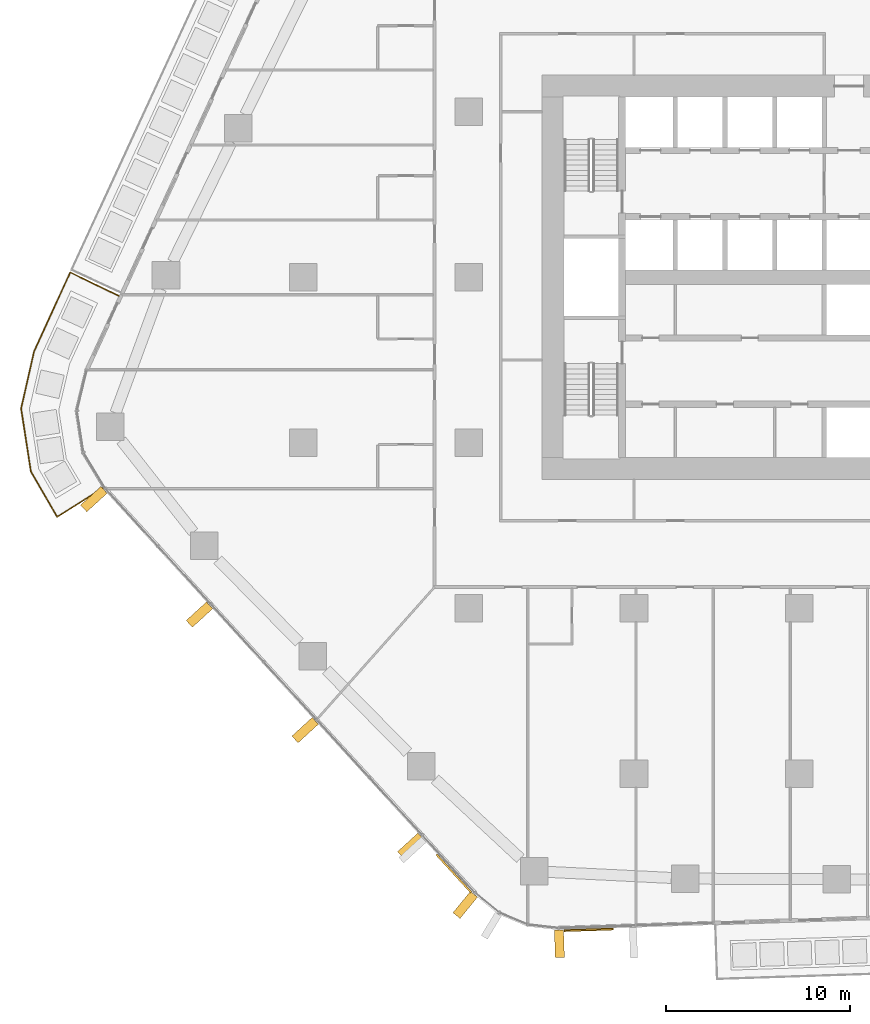
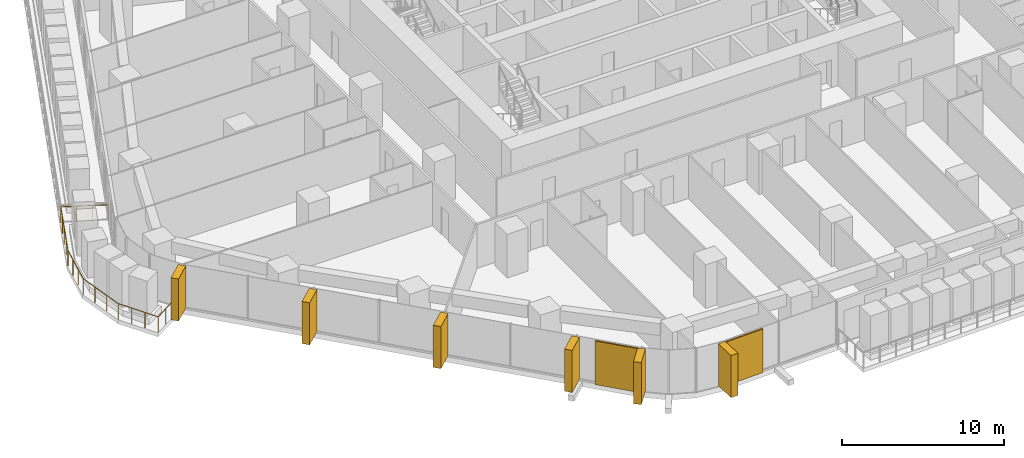
# One storey, part 21 of 27: 8 coverings, 1 railing, 3 elements without a shape of their own.
"""IFC4 building model written with IfcOpenShell, lengths in metres."""

from ifc_helpers import new_model, si_unit, direction, frame, origin, origin_2d, place, context, subcontext, project, spatial, rectangle, circle, extrude, material, layer, layer_set, material_profile, profile_set, type_object, element, aggregate, save


model = new_model("IFC4")

# Units and contexts
model_context = context("Model", 3, precision=1e-05, world=origin(), true_north=direction((0.0, 1.0)))
body_context = subcontext(model_context, "Body", "Model", "MODEL_VIEW")
ifc_project = project(units=[si_unit("LENGTHUNIT", "METRE"), si_unit("AREAUNIT", "SQUARE_METRE"), si_unit("VOLUMEUNIT", "CUBIC_METRE"), si_unit("PLANEANGLEUNIT", "RADIAN"), si_unit("MASSUNIT", "GRAM", prefix="KILO")], contexts=[model_context])

# Site, building, storey
site_placement = place(None, origin())
site = spatial("IfcSite", under=ifc_project, at=site_placement, CompositionType="ELEMENT")
building_placement = place(site_placement, origin())
building = spatial("IfcBuilding", under=site, at=building_placement, Name="Dongbaek Canopy Tower", CompositionType="ELEMENT")
storey_placement = place(building_placement, frame((0.0, 0.0, 58.800048828125)))
storey = spatial("IfcBuildingStorey", under=building, at=storey_placement, Name="L10", CompositionType="ELEMENT", Elevation=58.800048828125)

# Railing
ifc_material_1 = material(Name="Stainless steel", Category="steel")
railing_type = type_object("IfcRailingType", Name="Balcony balustrade 1200", PredefinedType="BALUSTRADE", material=ifc_material_1)
railing_placement = place(storey_placement, frame((-37.02880859375, -1.014892578125, 0.0)))
element("IfcRailing", 1, at=railing_placement, inside=storey, type_object=railing_type, Name="Balcony guard L10 7", PredefinedType="BALUSTRADE", context=body_context, shape_type="SweptSolid", body=[
    extrude(circle(Radius=0.02392578125, at=origin_2d()), frame((0.0, 0.0, 1.17578125), z_axis=(-0.899320695069, 0.437289706511, 0.0), x_axis=(-0.437289706511, -0.899320695069, 0.0)), (0.0, 0.0, 1.0), 2.940673828125),
    extrude(circle(Radius=0.02392578125, at=origin_2d()), frame((-2.64453125, 1.285888671875, 1.17578125), z_axis=(-0.41610370078, -0.909317166998, 0.0), x_axis=(0.909317166998, -0.41610370078, 0.0)), (0.0, 0.0, 1.0), 4.730224609375),
    extrude(circle(Radius=0.02392578125, at=origin_2d()), frame((-4.61279296875, -3.015380859375, 1.17578125), z_axis=(-0.221660802124, -0.975123832547, 0.0), x_axis=(0.975123832547, -0.221660802124, 0.0)), (0.0, 0.0, 1.0), 3.189697265625),
    extrude(circle(Radius=0.02392578125, at=origin_2d()), frame((-5.31982421875, -6.125732421875, 1.17578125), z_axis=(0.153789358191, -0.988103655143, 0.0), x_axis=(0.988103655143, 0.153789358191, 0.0)), (0.0, 0.0, 1.0), 3.473388671875),
    extrude(circle(Radius=0.02392578125, at=origin_2d()), frame((-4.78564453125, -9.557861328125, 1.17578125), z_axis=(0.50190634113, -0.864921976096, 0.0), x_axis=(0.864921976096, 0.50190634113, 0.0)), (0.0, 0.0, 1.0), 2.852783203125),
    extrude(circle(Radius=0.02392578125, at=origin_2d()), frame((-3.353759765625, -12.025390625, 1.17578125), z_axis=(0.844146612953, 0.536112391053, 0.0), x_axis=(-0.536112391053, 0.844146612953, 0.0)), (0.0, 0.0, 1.0), 2.9404296875),
    extrude(circle(Radius=0.02099609375, at=origin_2d()), origin(), (0.0, 0.0, 1.0), 1.15185546875),
    extrude(circle(Radius=0.02099609375, at=origin_2d()), frame((-0.881591796875, 0.4287109375, 0.0)), (0.0, 0.0, 1.0), 1.15185546875),
    extrude(circle(Radius=0.02099609375, at=origin_2d()), frame((-1.762939453125, 0.857177734375, 0.0)), (0.0, 0.0, 1.0), 1.15185546875),
    extrude(circle(Radius=0.02099609375, at=origin_2d()), frame((-2.64453125, 1.285888671875, 0.0)), (0.0, 0.0, 1.0), 1.15185546875),
    extrude(circle(Radius=0.02099609375, at=origin_2d()), frame((-3.13671875, 0.21044921875, 0.0)), (0.0, 0.0, 1.0), 1.15185546875),
    extrude(circle(Radius=0.02099609375, at=origin_2d()), frame((-3.628662109375, -0.86474609375, 0.0)), (0.0, 0.0, 1.0), 1.15185546875),
    extrude(circle(Radius=0.02099609375, at=origin_2d()), frame((-4.12060546875, -1.93994140625, 0.0)), (0.0, 0.0, 1.0), 1.15185546875),
    extrude(circle(Radius=0.02099609375, at=origin_2d()), frame((-4.61279296875, -3.015380859375, 0.0)), (0.0, 0.0, 1.0), 1.15185546875),
    extrude(circle(Radius=0.02099609375, at=origin_2d()), frame((-4.848388671875, -4.05224609375, 0.0)), (0.0, 0.0, 1.0), 1.15185546875),
    extrude(circle(Radius=0.02099609375, at=origin_2d()), frame((-5.084228515625, -5.0888671875, 0.0)), (0.0, 0.0, 1.0), 1.15185546875),
    extrude(circle(Radius=0.02099609375, at=origin_2d()), frame((-5.31982421875, -6.125732421875, 0.0)), (0.0, 0.0, 1.0), 1.15185546875),
    extrude(circle(Radius=0.02099609375, at=origin_2d()), frame((-5.141845703125, -7.269775390625, 0.0)), (0.0, 0.0, 1.0), 1.15185546875),
    extrude(circle(Radius=0.02099609375, at=origin_2d()), frame((-4.963623046875, -8.413818359375, 0.0)), (0.0, 0.0, 1.0), 1.15185546875),
    extrude(circle(Radius=0.02099609375, at=origin_2d()), frame((-4.78564453125, -9.557861328125, 0.0)), (0.0, 0.0, 1.0), 1.15185546875),
    extrude(circle(Radius=0.02099609375, at=origin_2d()), frame((-4.308349609375, -10.38037109375, 0.0)), (0.0, 0.0, 1.0), 1.15185546875),
    extrude(circle(Radius=0.02099609375, at=origin_2d()), frame((-3.8310546875, -11.202880859375, 0.0)), (0.0, 0.0, 1.0), 1.15185546875),
    extrude(circle(Radius=0.02099609375, at=origin_2d()), frame((-3.353759765625, -12.025390625, 0.0)), (0.0, 0.0, 1.0), 1.15185546875),
    extrude(circle(Radius=0.02099609375, at=origin_2d()), frame((-2.5263671875, -11.5, 0.0)), (0.0, 0.0, 1.0), 1.15185546875),
    extrude(circle(Radius=0.02099609375, at=origin_2d()), frame((-1.698974609375, -10.974365234375, 0.0)), (0.0, 0.0, 1.0), 1.15185546875),
    extrude(circle(Radius=0.02099609375, at=origin_2d()), frame((-0.87158203125, -10.448974609375, 0.0)), (0.0, 0.0, 1.0), 1.15185546875),
])

# Curtain wall, covering
ifc_material_2 = material(Name="Aluminium 6063-T6 pale anodised", Category="aluminium")
ifc_layer_1 = layer(ifc_material_2, 0.199951171875)
ifc_layer_set_1 = layer_set([ifc_layer_1], Name="CW-1 unitised tower curtain wall")
curtain_wall_type = type_object("IfcCurtainWallType", Name="CW-1 unitised tower curtain wall", PredefinedType="NOTDEFINED", material=ifc_layer_set_1)
curtain_wall_1_placement = place(storey_placement, origin())
curtain_wall_1 = element("IfcCurtainWall", 2, at=curtain_wall_1_placement, inside=storey, type_object=curtain_wall_type, Name="CW-1 curtain wall F3.1", PredefinedType="NOTDEFINED")
ifc_material_3 = material(Name="Perforated aluminium 6063-T6 pale metal screen", Category="aluminium")
ifc_layer_2 = layer(ifc_material_3, 0.10009765625)
ifc_layer_set_2 = layer_set([ifc_layer_2], Name="Facet screen FS1 100 pale metal")
covering_type_1 = type_object("IfcCoveringType", Name="Facet screen FS1 100 pale metal", PredefinedType="CLADDING", material=ifc_layer_set_2)
covering_1_placement = place(storey_placement, frame((-18.808837890625, -32.43408203125, 0.0), z_axis=(0.0, 0.0, 1.0), x_axis=(0.674959432699, -0.737854839525, 0.0)))
covering_1 = element("IfcCovering", 3, at=covering_1_placement, type_object=covering_type_1, Name="Facet screen L10 F3", PredefinedType="CLADDING", context=body_context, shape_type="SweptSolid", body=[
    extrude(rectangle(XDim=2.793212890625, YDim=0.10009765625, at=origin_2d()), origin(), (0.0, 0.0, 1.0), 3.300048828125),
])

curtain_wall_2_placement = place(storey_placement, origin())
curtain_wall_2 = element("IfcCurtainWall", 4, at=curtain_wall_2_placement, inside=storey, type_object=curtain_wall_type, Name="CW-1 curtain wall F4.1", PredefinedType="NOTDEFINED")
covering_2_placement = place(storey_placement, frame((-11.457275390625, -35.502685546875, 0.0), z_axis=(0.0, 0.0, 1.0), x_axis=(0.999466983225, 0.032645818153, 0.0)))
covering_2 = element("IfcCovering", 5, at=covering_2_placement, type_object=covering_type_1, Name="Facet screen L10 F4", PredefinedType="CLADDING", context=body_context, shape_type="SweptSolid", body=[
    extrude(rectangle(XDim=2.67138671875, YDim=0.10009765625, at=origin_2d()), origin(), (0.0, 0.0, 1.0), 3.300048828125),
])

# Covering
ifc_material_4 = material(Name="Aluminium 6063-T6 pale metal fin", Category="aluminium")
ifc_material_profile = material_profile(ifc_material_4, rectangle(XDim=1.5, YDim=0.5, at=origin_2d()), Name="Fin FN1 500 x 1500 pale metal")
ifc_profile_set = profile_set([ifc_material_profile], Name="Aluminium 6063-T6 pale metal fin")
covering_type_2 = type_object("IfcCoveringType", Name="Fin FN1 500 x 1500 pale metal", PredefinedType="CLADDING", material=ifc_profile_set)
covering_3_placement = place(storey_placement, frame((-38.39013671875, -12.0712890625, 0.119873046875), z_axis=(0.0, 0.0, 1.0), x_axis=(-0.737854848702, -0.674959422667, 0.0)))
covering_3 = element("IfcCovering", 6, at=covering_3_placement, type_object=covering_type_2, Name="Fin F3.1.1", PredefinedType="CLADDING", context=body_context, shape_type="SweptSolid", body=[
    extrude(rectangle(XDim=1.5, YDim=0.5, at=origin_2d()), origin(), (0.0, 0.0, 1.0), 3.18017578125),
])

covering_4_placement = place(storey_placement, frame((-32.645263671875, -18.351318359375, 0.119873046875), z_axis=(0.0, 0.0, 1.0), x_axis=(-0.737854848702, -0.674959422667, 0.0)))
covering_4 = element("IfcCovering", 7, at=covering_4_placement, type_object=covering_type_2, Name="Fin F3.1.3", PredefinedType="CLADDING", context=body_context, shape_type="SweptSolid", body=[
    extrude(rectangle(XDim=1.5, YDim=0.5, at=origin_2d()), origin(), (0.0, 0.0, 1.0), 3.18017578125),
])

covering_5_placement = place(storey_placement, frame((-26.89404296875, -24.638427734375, 0.119873046875), z_axis=(0.0, 0.0, 1.0), x_axis=(-0.737854848702, -0.674959422667, 0.0)))
covering_5 = element("IfcCovering", 8, at=covering_5_placement, type_object=covering_type_2, Name="Fin F3.1.5", PredefinedType="CLADDING", context=body_context, shape_type="SweptSolid", body=[
    extrude(rectangle(XDim=1.5, YDim=0.5, at=origin_2d()), origin(), (0.0, 0.0, 1.0), 3.18017578125),
])

covering_6_placement = place(storey_placement, frame((-21.142822265625, -30.92578125, 0.119873046875), z_axis=(0.0, 0.0, 1.0), x_axis=(-0.737854848702, -0.674959422667, 0.0)))
covering_6 = element("IfcCovering", 9, at=covering_6_placement, type_object=covering_type_2, Name="Fin F3.1.7", PredefinedType="CLADDING", context=body_context, shape_type="SweptSolid", body=[
    extrude(rectangle(XDim=1.5, YDim=0.5, at=origin_2d()), origin(), (0.0, 0.0, 1.0), 3.18017578125),
])

aggregate(curtain_wall_1, [covering_3, covering_4, covering_5, covering_6, covering_1])

# Curtain wall, covering
curtain_wall_3_placement = place(storey_placement, origin())
curtain_wall_3 = element("IfcCurtainWall", 10, at=curtain_wall_3_placement, inside=storey, type_object=curtain_wall_type, Name="CW-1 curtain wall K4.1", PredefinedType="NOTDEFINED")
covering_7_placement = place(storey_placement, frame((-18.183349609375, -34.14794921875, 0.119873046875), z_axis=(0.0, 0.0, 1.0), x_axis=(-0.633547920813, -0.773703452256, 0.0)))
covering_7 = element("IfcCovering", 11, at=covering_7_placement, type_object=covering_type_2, Name="Fin K4.1.1", PredefinedType="CLADDING", context=body_context, shape_type="SweptSolid", body=[
    extrude(rectangle(XDim=1.5, YDim=0.5, at=origin_2d()), origin(), (0.0, 0.0, 1.0), 3.18017578125),
])
aggregate(curtain_wall_3, [covering_7])

# Covering
covering_8_placement = place(storey_placement, frame((-13.05908203125, -36.259521484375, 0.119873046875), z_axis=(0.0, 0.0, 1.0), x_axis=(0.032645591573, -0.999466990626, 0.0)))
covering_8 = element("IfcCovering", 12, at=covering_8_placement, type_object=covering_type_2, Name="Fin F4.1.1", PredefinedType="CLADDING", context=body_context, shape_type="SweptSolid", body=[
    extrude(rectangle(XDim=1.5, YDim=0.5, at=origin_2d()), origin(), (0.0, 0.0, 1.0), 3.18017578125),
])

aggregate(curtain_wall_2, [covering_8, covering_2])

save(model, "model.ifc")
